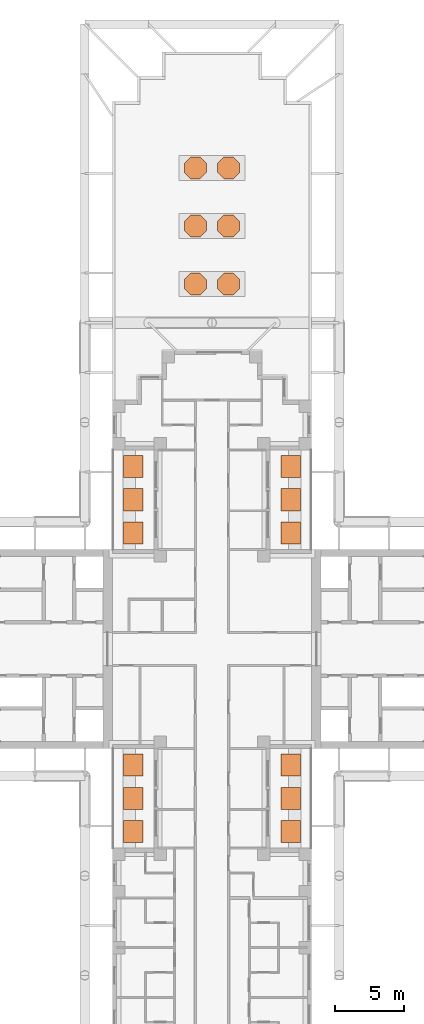
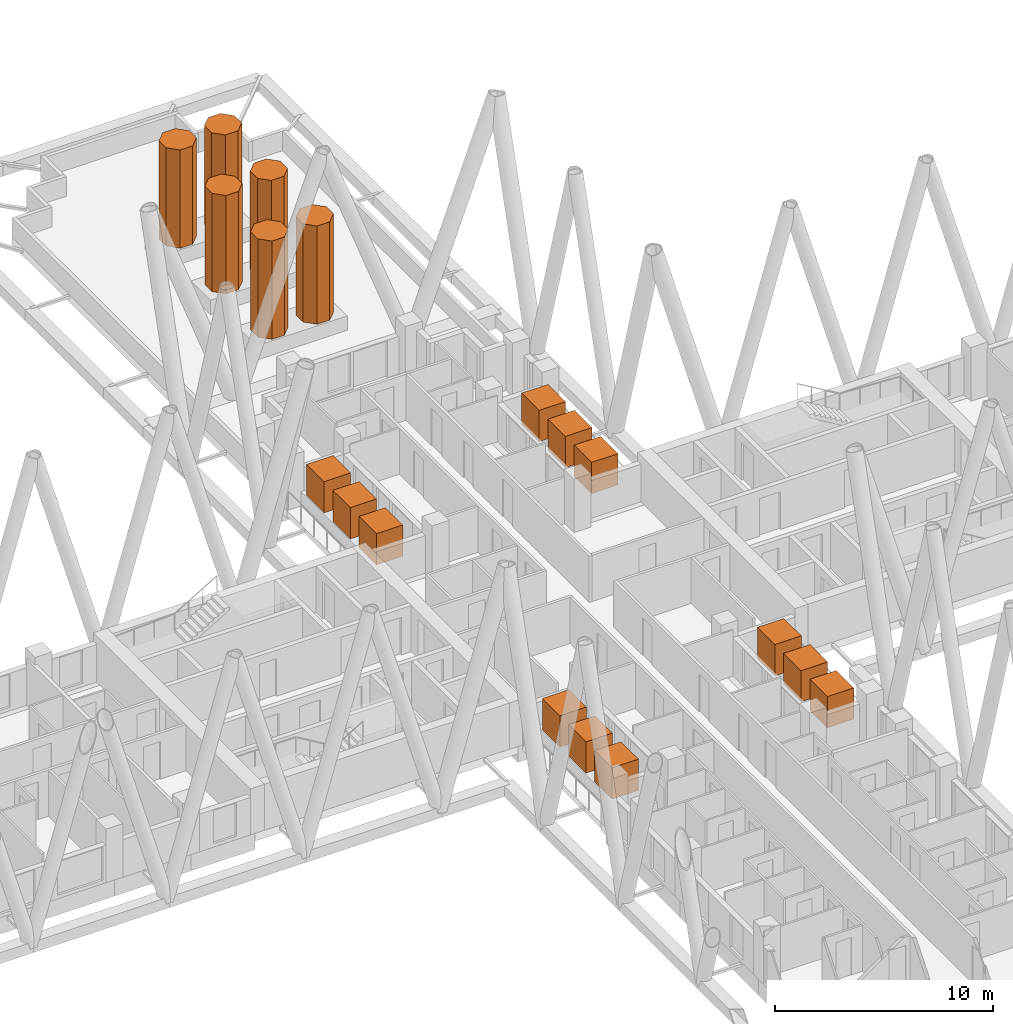
# One storey, part 16 of 16: 18 geographic elements.
"""IFC4 building model written with IfcOpenShell, lengths in metres."""

from ifc_helpers import new_model, si_unit, direction, frame, origin, origin_2d, place, context, subcontext, project, spatial, polyline, rectangle, outline, extrude, material, element, save


model = new_model("IFC4")

# Units and contexts
model_context = context("Model", 3, precision=1e-05, world=origin(), true_north=direction((0.0, 1.0)))
body_context = subcontext(model_context, "Body", "Model", "MODEL_VIEW")
ifc_project = project(units=[si_unit("LENGTHUNIT", "METRE"), si_unit("AREAUNIT", "SQUARE_METRE"), si_unit("VOLUMEUNIT", "CUBIC_METRE"), si_unit("PLANEANGLEUNIT", "RADIAN"), si_unit("MASSUNIT", "GRAM", prefix="KILO")], contexts=[model_context])

# Site, building, storey
site_placement = place(None, origin())
site = spatial("IfcSite", under=ifc_project, at=site_placement, CompositionType="ELEMENT")
building_placement = place(site_placement, origin())
building = spatial("IfcBuilding", under=site, at=building_placement, Name="Fustian Cross Tower", CompositionType="ELEMENT")
storey_placement = place(building_placement, frame((0.0, 0.0, 66.89990234375)))
storey = spatial("IfcBuildingStorey", under=building, at=storey_placement, Name="L20", CompositionType="ELEMENT", Elevation=66.89990234375)

# Geographic elements
ifc_material = material(Name="Evergreen foliage")
for number, where, z_axis, x_axis, name in (
    (1, (5.68994140625, 8.39990234375, 0.800048828125), (0.0, 0.0, 1.0), (1.0, 0.0, 0.0), "TREE field maple"),
    (2, (5.68994140625, 10.800048828125, 0.800048828125), (0.0, 0.0, 1.0), (1.0, 0.0, 0.0), "TREE field maple"),
    (3, (5.68994140625, 13.199951171875, 0.800048828125), (0.0, 0.0, 1.0), (1.0, 0.0, 0.0), "TREE field maple"),
    (4, (-5.68994140625, 8.39990234375, 0.800048828125), (0.0, 0.0, 1.0), (1.0, 0.0, 0.0), "TREE field maple"),
    (5, (-5.68994140625, 10.800048828125, 0.800048828125), (0.0, 0.0, 1.0), (1.0, 0.0, 0.0), "TREE field maple"),
    (6, (-5.68994140625, 13.199951171875, 0.800048828125), (0.0, 0.0, 1.0), (1.0, 0.0, 0.0), "TREE field maple"),
    (7, (5.68994140625, -13.199951171875, 0.800048828125), (0.0, 0.0, 1.0), (1.0, 0.0, 0.0), "TREE field maple"),
    (8, (5.68994140625, -10.800048828125, 0.800048828125), (0.0, 0.0, 1.0), (1.0, 0.0, 0.0), "TREE field maple"),
    (9, (5.68994140625, -8.39990234375, 0.800048828125), (0.0, 0.0, 1.0), (1.0, 0.0, 0.0), "TREE field maple"),
    (10, (-5.68994140625, -13.199951171875, 0.800048828125), (0.0, 0.0, 1.0), (1.0, 0.0, 0.0), "TREE field maple"),
    (11, (-5.68994140625, -10.800048828125, 0.800048828125), (0.0, 0.0, 1.0), (1.0, 0.0, 0.0), "TREE field maple"),
    (12, (-5.68994140625, -8.39990234375, 0.800048828125), (0.0, 0.0, 1.0), (1.0, 0.0, 0.0), "TREE field maple"),
):
    element("IfcGeographicElement", number, at=place(storey_placement, frame(where, z_axis=z_axis, x_axis=x_axis)), inside=storey, material=ifc_material, Name=name, ObjectType="VEGETATION", PredefinedType="USERDEFINED", context=body_context, shape_type="SweptSolid", body=[
        extrude(rectangle(XDim=1.39990234375, YDim=1.60009765625, at=origin_2d()), origin(), (0.0, 0.0, 1.0), 1.75),
    ])
geographic_element_1_placement = place(storey_placement, frame((0.0, 0.0, 0.800048828125)))
element("IfcGeographicElement", 13, at=geographic_element_1_placement, inside=storey, material=ifc_material, Name="TREE L2011", ObjectType="VEGETATION", PredefinedType="USERDEFINED", context=body_context, shape_type="SweptSolid", body=[
    extrude(outline(polyline([(-0.39990234375, 26.7314453125), (-0.86865234375, 27.199951171875), (-1.53125, 27.199951171875), (-2.0, 26.7314453125), (-2.0, 26.068603515625), (-1.53125, 25.60009765625), (-0.86865234375, 25.60009765625), (-0.39990234375, 26.068603515625), (-0.39990234375, 26.7314453125)])), origin(), (0.0, 0.0, 1.0), 5.5),
])
geographic_element_2_placement = place(storey_placement, frame((0.0, 0.0, 0.800048828125)))
element("IfcGeographicElement", 14, at=geographic_element_2_placement, inside=storey, material=ifc_material, Name="TREE L2012", ObjectType="VEGETATION", PredefinedType="USERDEFINED", context=body_context, shape_type="SweptSolid", body=[
    extrude(outline(polyline([(2.0, 26.7314453125), (1.53125, 27.199951171875), (0.86865234375, 27.199951171875), (0.39990234375, 26.7314453125), (0.39990234375, 26.068603515625), (0.86865234375, 25.60009765625), (1.53125, 25.60009765625), (2.0, 26.068603515625), (2.0, 26.7314453125)])), origin(), (0.0, 0.0, 1.0), 5.5),
])
geographic_element_3_placement = place(storey_placement, frame((0.0, 0.0, 0.800048828125)))
element("IfcGeographicElement", 15, at=geographic_element_3_placement, inside=storey, material=ifc_material, Name="TREE L2013", ObjectType="VEGETATION", PredefinedType="USERDEFINED", context=body_context, shape_type="SweptSolid", body=[
    extrude(outline(polyline([(-0.39990234375, 30.931396484375), (-0.86865234375, 31.39990234375), (-1.53125, 31.39990234375), (-2.0, 30.931396484375), (-2.0, 30.2685546875), (-1.53125, 29.800048828125), (-0.86865234375, 29.800048828125), (-0.39990234375, 30.2685546875), (-0.39990234375, 30.931396484375)])), origin(), (0.0, 0.0, 1.0), 5.5),
])
geographic_element_4_placement = place(storey_placement, frame((0.0, 0.0, 0.800048828125)))
element("IfcGeographicElement", 16, at=geographic_element_4_placement, inside=storey, material=ifc_material, Name="TREE L2014", ObjectType="VEGETATION", PredefinedType="USERDEFINED", context=body_context, shape_type="SweptSolid", body=[
    extrude(outline(polyline([(2.0, 30.931396484375), (1.53125, 31.39990234375), (0.86865234375, 31.39990234375), (0.39990234375, 30.931396484375), (0.39990234375, 30.2685546875), (0.86865234375, 29.800048828125), (1.53125, 29.800048828125), (2.0, 30.2685546875), (2.0, 30.931396484375)])), origin(), (0.0, 0.0, 1.0), 5.5),
])
geographic_element_5_placement = place(storey_placement, frame((0.0, 0.0, 0.800048828125)))
element("IfcGeographicElement", 17, at=geographic_element_5_placement, inside=storey, material=ifc_material, Name="TREE L2015", ObjectType="VEGETATION", PredefinedType="USERDEFINED", context=body_context, shape_type="SweptSolid", body=[
    extrude(outline(polyline([(-0.39990234375, 35.13134765625), (-0.86865234375, 35.60009765625), (-1.53125, 35.60009765625), (-2.0, 35.13134765625), (-2.0, 34.46875), (-1.53125, 34.0), (-0.86865234375, 34.0), (-0.39990234375, 34.46875), (-0.39990234375, 35.13134765625)])), origin(), (0.0, 0.0, 1.0), 5.5),
])
geographic_element_6_placement = place(storey_placement, frame((0.0, 0.0, 0.800048828125)))
element("IfcGeographicElement", 18, at=geographic_element_6_placement, inside=storey, material=ifc_material, Name="TREE L2016", ObjectType="VEGETATION", PredefinedType="USERDEFINED", context=body_context, shape_type="SweptSolid", body=[
    extrude(outline(polyline([(2.0, 35.13134765625), (1.53125, 35.60009765625), (0.86865234375, 35.60009765625), (0.39990234375, 35.13134765625), (0.39990234375, 34.46875), (0.86865234375, 34.0), (1.53125, 34.0), (2.0, 34.46875), (2.0, 35.13134765625)])), origin(), (0.0, 0.0, 1.0), 5.5),
])

save(model, "model.ifc")
